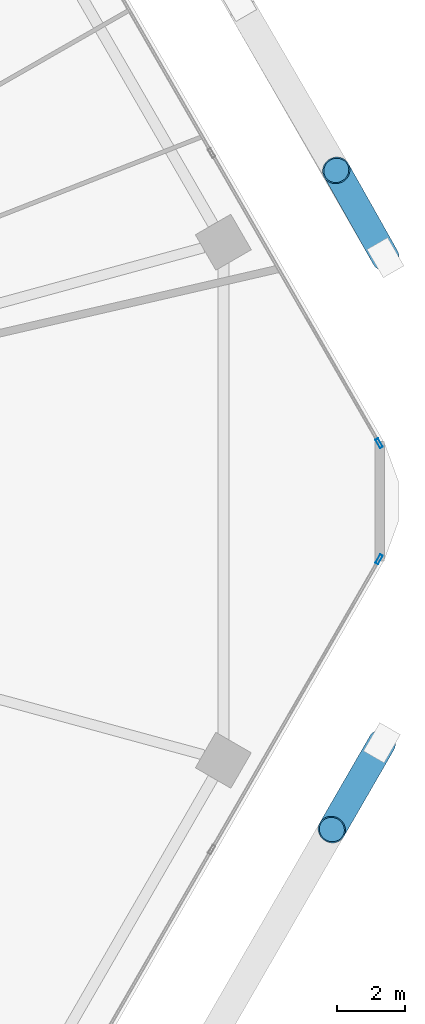
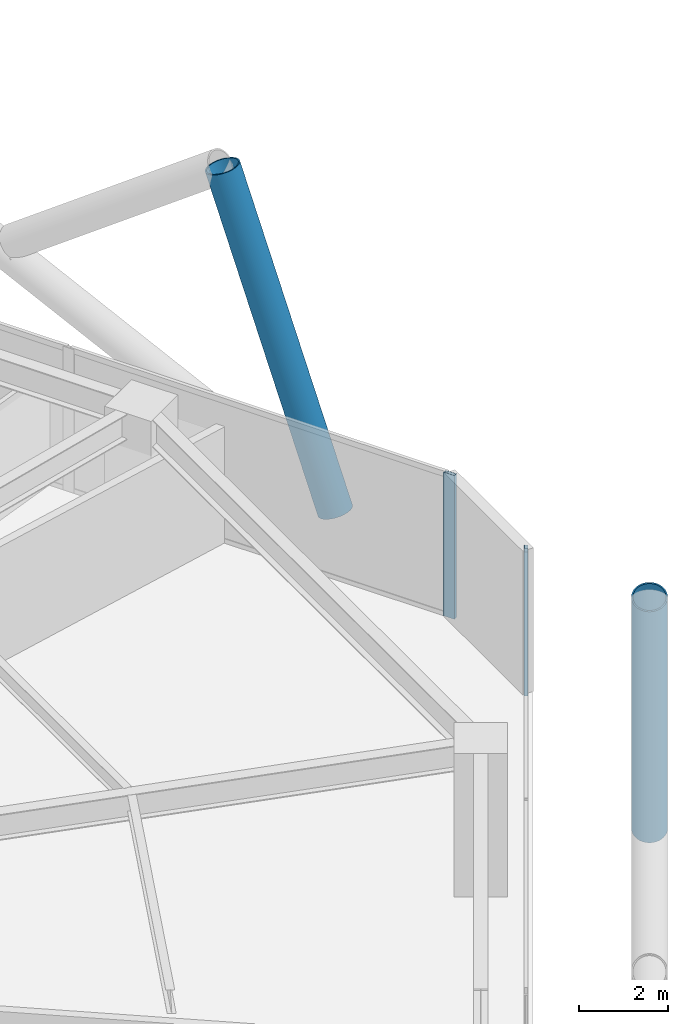
# One storey, part 24 of 29: 4 members, 2 elements without a shape of their own.
"""IFC4 building model written with IfcOpenShell, lengths in metres."""

from ifc_helpers import new_model, si_unit, direction, frame, origin, origin_2d, place, context, subcontext, project, spatial, hollow_rectangle, hollow_circle, extrude, material, material_profile, profile_set, type_object, element, aggregate, save


model = new_model("IFC4")

# Units and contexts
model_context = context("Model", 3, precision=1e-05, world=origin(), true_north=direction((0.0, 1.0)))
body_context = subcontext(model_context, "Body", "Model", "MODEL_VIEW")
ifc_project = project(units=[si_unit("LENGTHUNIT", "METRE"), si_unit("AREAUNIT", "SQUARE_METRE"), si_unit("VOLUMEUNIT", "CUBIC_METRE"), si_unit("PLANEANGLEUNIT", "RADIAN"), si_unit("MASSUNIT", "GRAM", prefix="KILO")], contexts=[model_context])

# Site, building, storey
site_placement = place(None, origin())
site = spatial("IfcSite", under=ifc_project, at=site_placement, CompositionType="ELEMENT")
building_placement = place(site_placement, origin())
building = spatial("IfcBuilding", under=site, at=building_placement, Name="Zuhravey Tower", CompositionType="ELEMENT")
storey_placement = place(building_placement, frame((0.0, 0.0, 41.39990234375)))
storey = spatial("IfcBuildingStorey", under=building, at=storey_placement, Name="L10", CompositionType="ELEMENT", Elevation=41.39990234375)

# Curtain wall, member
ifc_material_1 = material(Name="Thermally broken anodised aluminium", Category="aluminium")
curtain_wall_type = type_object("IfcCurtainWallType", Name="School Low-E Unitised Curtain Wall CW1", PredefinedType="NOTDEFINED", material=ifc_material_1)
curtain_wall_1_placement = place(storey_placement, origin())
curtain_wall_1 = element("IfcCurtainWall", 1, at=curtain_wall_1_placement, inside=storey, type_object=curtain_wall_type, Name="L10 CW1 CW-L10-F6-1", PredefinedType="NOTDEFINED")
ifc_material_2 = material(Name="Anodised aluminium", Category="aluminium")
ifc_material_profile_1 = material_profile(ifc_material_2, hollow_rectangle(XDim=0.090087890625, YDim=0.284912109375, WallThickness=0.0048828125, at=origin_2d()), Name="ALU-RHS-90x285x5")
ifc_profile_set_1 = profile_set([ifc_material_profile_1], Name="Anodised aluminium")
member_type_1 = type_object("IfcMemberType", Name="Curtain-Wall Mullion 90x180", PredefinedType="MULLION", material=ifc_profile_set_1)
member_1_placement = place(storey_placement, frame((68.4560546875, 30.298583984375, 0.0), z_axis=(0.0, 0.0, 1.0), x_axis=(0.86602552265, -0.499999794119, 0.0)))
member_1 = element("IfcMember", 2, at=member_1_placement, type_object=member_type_1, Name="CW1 mullion 1", PredefinedType="MULLION", context=body_context, shape_type="SweptSolid", body=[
    extrude(hollow_rectangle(XDim=0.090087890625, YDim=0.284912109375, WallThickness=0.0048828125, at=origin_2d()), origin(), (0.0, 0.0, 1.0), 3.920166015625),
])
aggregate(curtain_wall_1, [member_1])

curtain_wall_2_placement = place(storey_placement, origin())
curtain_wall_2 = element("IfcCurtainWall", 3, at=curtain_wall_2_placement, inside=storey, type_object=curtain_wall_type, Name="L10 CW1 CW-L10-F1-1", PredefinedType="NOTDEFINED")
member_2_placement = place(storey_placement, frame((68.4560546875, 33.701416015625, 0.0), z_axis=(0.0, 0.0, 1.0), x_axis=(0.86602552265, 0.499999794119, 0.0)))
member_2 = element("IfcMember", 4, at=member_2_placement, type_object=member_type_1, Name="CW1 mullion 4", PredefinedType="MULLION", context=body_context, shape_type="SweptSolid", body=[
    extrude(hollow_rectangle(XDim=0.090087890625, YDim=0.284912109375, WallThickness=0.0048828125, at=origin_2d()), origin(), (0.0, 0.0, 1.0), 3.920166015625),
])
aggregate(curtain_wall_2, [member_2])

# Members
ifc_material_3 = material(Name="Steel SM460", Category="steel")
ifc_material_profile_2 = material_profile(ifc_material_3, hollow_circle(Radius=0.406494140625, WallThickness=0.035888671875, at=origin_2d()), Name="CHS-812.8x36")
ifc_profile_set_2 = profile_set([ifc_material_profile_2], Name="Steel SM460")
member_type_2 = type_object("IfcMemberType", Name="Exoskeleton Zone 1 Diagrid CHS813x36", PredefinedType="BRACE", material=ifc_profile_set_2)
for number, where, z_axis, x_axis, name in (
    (5, (68.637451171875, 39.147216796875, -0.471923828125), (-0.162383773974, 0.288038869576, 0.943750560033), (-0.871107455363, -0.491092456886, 0.0), "L10 Face 1 Diagrid Brace 1"),
    (6, (68.533447265625, 24.912841796875, -0.471923828125), (-0.165307317227, -0.286358046605, 0.943754501984), (0.866053660865, -0.499951054106, 0.0), "L10 Face 6 Diagrid Brace 4"),
):
    element("IfcMember", number, at=place(storey_placement, frame(where, z_axis=z_axis, x_axis=x_axis)), inside=storey, type_object=member_type_2, Name=name, PredefinedType="BRACE", context=body_context, shape_type="SweptSolid", body=[
        extrude(hollow_circle(Radius=0.406494140625, WallThickness=0.035888671875, at=origin_2d()), origin(), (0.0, 0.0, 1.0), 8.85400390625),
    ])

save(model, "model.ifc")
